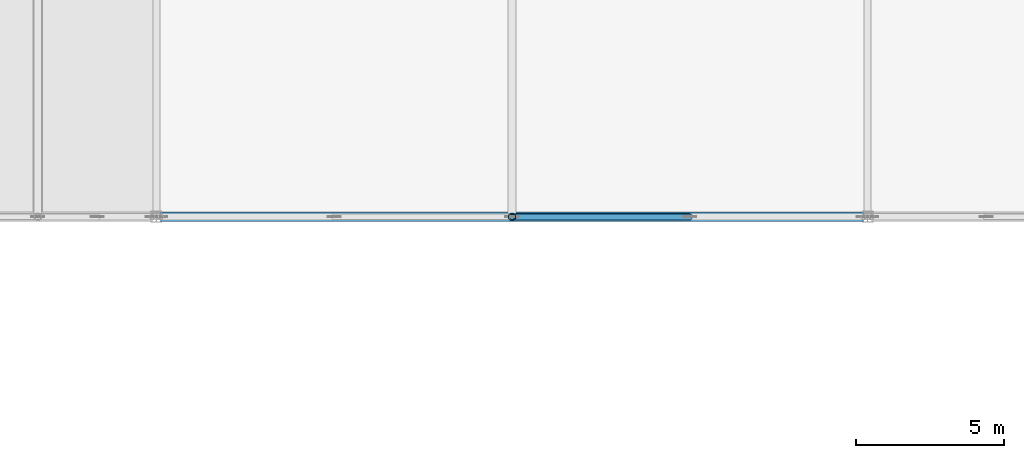
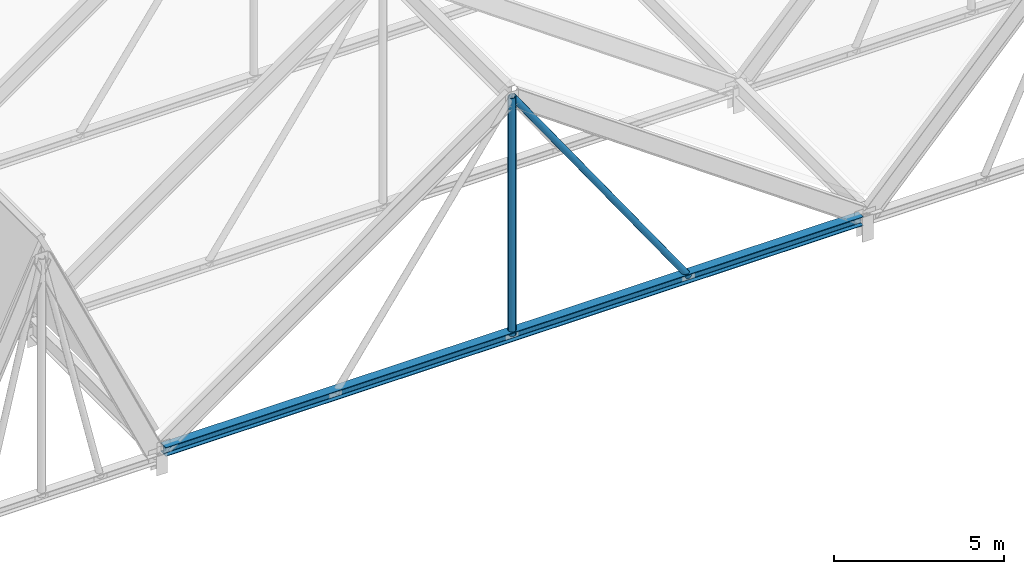
# One storey, part 37 of 85: 3 members.
"""IFC4 building model written with IfcOpenShell, lengths in metres."""

from ifc_helpers import new_model, si_unit, direction, frame, origin, origin_2d, place, context, subcontext, project, spatial, hollow_circle, i_section, extrude, material, material_profile, profile_set, type_object, element, save


model = new_model("IFC4")

# Units and contexts
model_context = context("Model", 3, precision=1e-05, world=origin(), true_north=direction((0.0, 1.0)))
body_context = subcontext(model_context, "Body", "Model", "MODEL_VIEW")
ifc_project = project(units=[si_unit("LENGTHUNIT", "METRE"), si_unit("AREAUNIT", "SQUARE_METRE"), si_unit("VOLUMEUNIT", "CUBIC_METRE"), si_unit("PLANEANGLEUNIT", "RADIAN"), si_unit("MASSUNIT", "GRAM", prefix="KILO")], contexts=[model_context])

# Site, building, storey
site_placement = place(None, origin())
site = spatial("IfcSite", under=ifc_project, at=site_placement, CompositionType="ELEMENT")
building_placement = place(site_placement, origin())
building = spatial("IfcBuilding", under=site, at=building_placement, Name="Zulena Civic Courthouse", CompositionType="ELEMENT")
storey_placement = place(building_placement, frame((0.0, 0.0, 25.199951171875)))
storey = spatial("IfcBuildingStorey", under=building, at=storey_placement, Name="L05", CompositionType="ELEMENT", Elevation=25.199951171875)

# Members
ifc_material_1 = material(Name="Steel ASTM A992 Grade 50", Category="steel")
ifc_material_profile_1 = material_profile(ifc_material_1, i_section(OverallWidth=0.30908203125, OverallDepth=0.322998046875, WebThickness=0.013916015625, FlangeThickness=0.02294921875, FilletRadius=0.01513671875, at=origin_2d()), Name="W12X96")
ifc_profile_set_1 = profile_set([ifc_material_profile_1], Name="Steel ASTM A992 Grade 50")
member_type_1 = type_object("IfcMemberType", Name="Chord_W12X96", PredefinedType="CHORD", material=ifc_profile_set_1)
member_1_placement = place(storey_placement, frame((84.139892578125, 15.199951171875, 0.536376953125), z_axis=(1.0, 0.0, 0.0), x_axis=(0.0, 1.0, 0.0)))
element("IfcMember", 1, at=member_1_placement, inside=storey, type_object=member_type_1, Name="mem:fold:tie:03:15.2", PredefinedType="CHORD", context=body_context, shape_type="SweptSolid", body=[
    extrude(i_section(OverallWidth=0.30908203125, OverallDepth=0.322998046875, WebThickness=0.013916015625, FlangeThickness=0.02294921875, FilletRadius=0.01513671875, at=origin_2d()), origin(), (0.0, 0.0, 1.0), 23.72021484375),
])
ifc_material_2 = material(Name="Steel ASTM A500 Grade C", Category="steel")
ifc_material_profile_2 = material_profile(ifc_material_2, hollow_circle(Radius=0.126953125, WallThickness=0.01171875, at=origin_2d()), Name="HSS10.000X0.500")
ifc_profile_set_2 = profile_set([ifc_material_profile_2], Name="Steel ASTM A500 Grade C")
member_type_2 = type_object("IfcMemberType", Name="RoofWeb_CHS10", PredefinedType="USERDEFINED", material=ifc_profile_set_2)
member_2_placement = place(storey_placement, frame((96.0, 15.199951171875, 0.536376953125), z_axis=(0.0, 0.0, 1.0), x_axis=(1.0, 0.0, 0.0)))
element("IfcMember", 2, at=member_2_placement, inside=storey, type_object=member_type_2, Name="mem:fold:king:03:15.2", ObjectType="ROOF TRUSS", PredefinedType="USERDEFINED", context=body_context, shape_type="SweptSolid", body=[
    extrude(hollow_circle(Radius=0.126953125, WallThickness=0.01171875, at=origin_2d()), origin(), (0.0, 0.0, 1.0), 8.56005859375),
])
ifc_material_profile_3 = material_profile(ifc_material_2, hollow_circle(Radius=0.109619140625, WallThickness=0.0087890625, at=origin_2d()), Name="HSS8.625X0.375")
ifc_profile_set_3 = profile_set([ifc_material_profile_3], Name="Steel ASTM A500 Grade C")
member_type_3 = type_object("IfcMemberType", Name="RoofWeb_CHS8", PredefinedType="USERDEFINED", material=ifc_profile_set_3)
member_3_placement = place(storey_placement, frame((102.0, 15.199951171875, 0.536376953125), z_axis=(-0.573973222061, 0.0, 0.81887406868), x_axis=(0.0, -1.0, 0.0)))
element("IfcMember", 3, at=member_3_placement, inside=storey, type_object=member_type_3, Name="mem:fold:diagE:03:15.2", ObjectType="ROOF TRUSS", PredefinedType="USERDEFINED", context=body_context, shape_type="SweptSolid", body=[
    extrude(hollow_circle(Radius=0.109619140625, WallThickness=0.0087890625, at=origin_2d()), origin(), (0.0, 0.0, 1.0), 10.453369140625),
])

save(model, "model.ifc")
